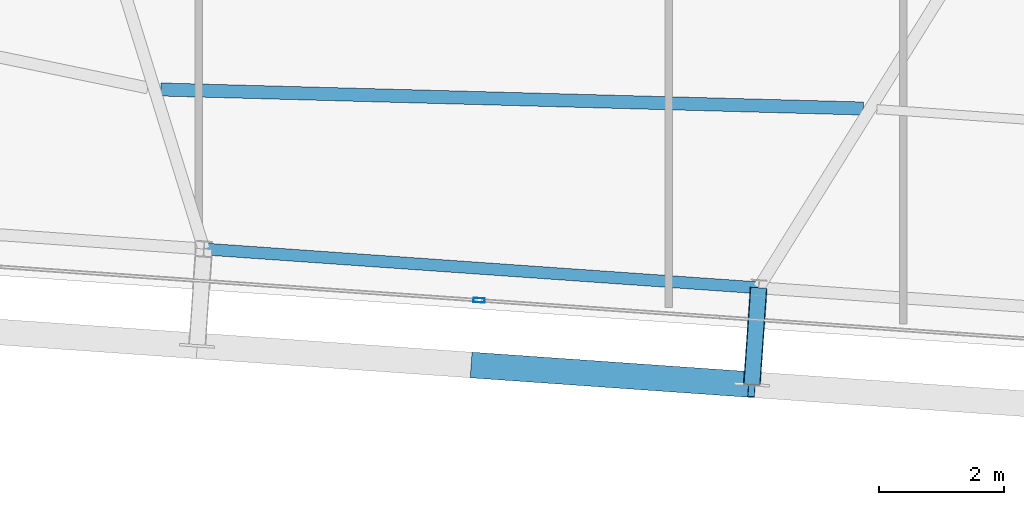
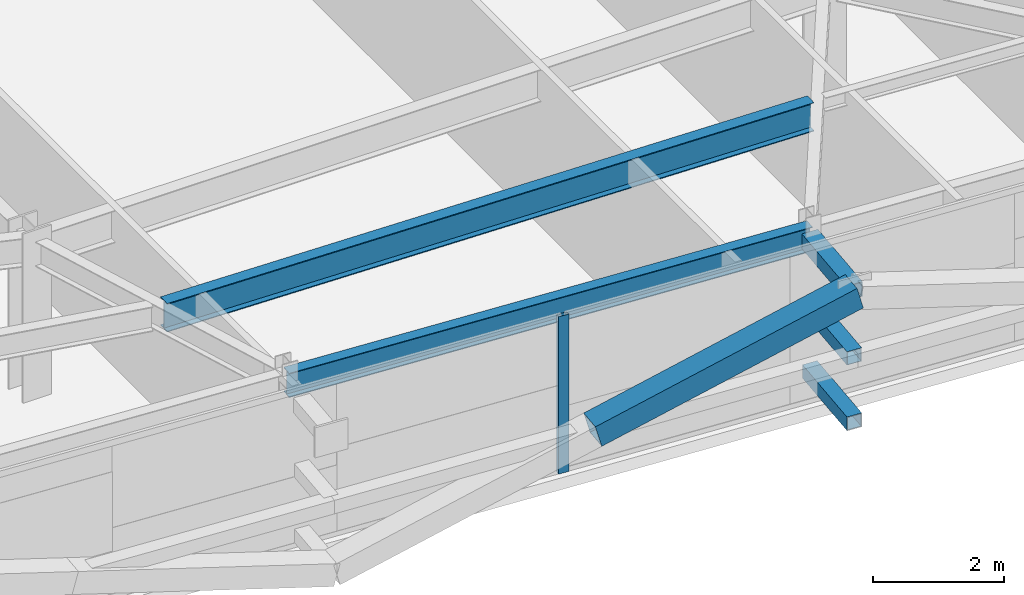
# One storey, part 9 of 39: 5 members, 2 beams, 1 element without a shape of its own.
"""IFC4 building model written with IfcOpenShell, lengths in metres."""

from ifc_helpers import new_model, si_unit, direction, frame, origin, origin_2d, place, context, subcontext, project, spatial, hollow_rectangle, i_section, extrude, source, transform, mapped, material, layer, layer_set, material_profile, profile_set, type_object, element, aggregate, save


model = new_model("IFC4")

# Units and contexts
model_context = context("Model", 3, precision=1e-05, world=origin(), true_north=direction((0.0, 1.0)))
body_context = subcontext(model_context, "Body", "Model", "MODEL_VIEW")
ifc_project = project(units=[si_unit("LENGTHUNIT", "METRE"), si_unit("AREAUNIT", "SQUARE_METRE"), si_unit("VOLUMEUNIT", "CUBIC_METRE"), si_unit("PLANEANGLEUNIT", "RADIAN"), si_unit("MASSUNIT", "GRAM", prefix="KILO")], contexts=[model_context])

# Site, building, storey
site_placement = place(None, origin())
site = spatial("IfcSite", under=ifc_project, at=site_placement, CompositionType="ELEMENT")
building_placement = place(site_placement, origin())
building = spatial("IfcBuilding", under=site, at=building_placement, Name="Taldren Reach Tower", CompositionType="ELEMENT")
storey_placement = place(building_placement, frame((0.0, 0.0, 133.0)))
storey = spatial("IfcBuildingStorey", under=building, at=storey_placement, Name="L40", CompositionType="ELEMENT", Elevation=133.0)

# Members
ifc_material_1 = material(Name="Steel Gr 450 (C450L0)", Category="steel")
ifc_material_profile_1 = material_profile(ifc_material_1, hollow_rectangle(XDim=0.27490234375, YDim=0.27490234375, WallThickness=0.00927734375, at=origin_2d()), Name="275x275x9.3SHS")
ifc_profile_set_1 = profile_set([ifc_material_profile_1], Name="Steel Gr 450 (C450L0)")
member_type_1 = type_object("IfcMemberType", Name="MB-TIE273", PredefinedType="STRUT", material=ifc_profile_set_1)
shared_shape_1 = source(origin(), body_context, "Body", "SweptSolid", [
    extrude(hollow_rectangle(XDim=0.27490234375, YDim=0.27490234375, WallThickness=0.00927734375, at=origin_2d()), origin(), (0.0, 0.0, 1.0), 1.550048828125),
])
member_1_placement = place(storey_placement, frame((38.438720703125, 3.480224609375, 2.64990234375), z_axis=(-0.06976957191, -0.99756313426, 0.0), x_axis=(0.99756313426, -0.06976957191, 0.0)))
element("IfcMember", 1, at=member_1_placement, inside=storey, type_object=member_type_1, Name="Exoskeleton diaphragm tie strut B3-S4 L40", PredefinedType="STRUT", context=body_context, shape_type="MappedRepresentation", body=[
    mapped(shared_shape_1, transform((0.0, 0.0, 0.0), scale=1.0)),
])
ifc_material_2 = material(Name="Steel Gr 350 (C350L0)", Category="steel")
ifc_material_profile_2 = material_profile(ifc_material_2, hollow_rectangle(XDim=0.25, YDim=0.25, WallThickness=0.010009765625, at=origin_2d()), Name="250x250x10.0SHS")
ifc_profile_set_2 = profile_set([ifc_material_profile_2], Name="Steel Gr 350 (C350L0)")
member_type_2 = type_object("IfcMemberType", Name="MB-POST250", PredefinedType="POST", material=ifc_profile_set_2)
shared_shape_2 = source(origin(), body_context, "Body", "SweptSolid", [
    extrude(hollow_rectangle(XDim=0.25, YDim=0.25, WallThickness=0.010009765625, at=origin_2d()), origin(), (0.0, 0.0, 1.0), 1.550048828125),
])
for number, where, z_axis, x_axis, name in (
    (2, (38.438720703125, 3.480224609375, 0.219970703125), (-0.06976957191, -0.99756313426, 0.0), (0.99756313426, -0.06976957191, 0.0), "Exoskeleton base diaphragm tie strut B3-S4 L40"),
    (3, (38.438720703125, 3.480224609375, 1.43505859375), (-0.06976957191, -0.99756313426, 0.0), (0.99756313426, -0.06976957191, 0.0), "Exoskeleton mid-tier diaphragm tie B3-S4 L40"),
):
    element("IfcMember", number, at=place(storey_placement, frame(where, z_axis=z_axis, x_axis=x_axis)), inside=storey, type_object=member_type_2, Name=name, PredefinedType="POST", context=body_context, shape_type="MappedRepresentation", body=[
        mapped(shared_shape_2, transform((0.0, 0.0, 0.0), scale=1.0)),
    ])

# Beams
ifc_material_3 = material(Name="Steel Gr 350 (350PLUS)", Category="steel")
ifc_material_profile_3 = material_profile(ifc_material_3, i_section(OverallWidth=0.18994140625, OverallDepth=0.4541015625, WebThickness=0.008544921875, FlangeThickness=0.0126953125, at=origin_2d()), Name="460UB67.1")
ifc_profile_set_3 = profile_set([ifc_material_profile_3], Name="Steel Gr 350 (350PLUS)")
beam_type_1 = type_object("IfcBeamType", Name="SP-UB460B", PredefinedType="SPANDREL", material=ifc_profile_set_3)
shared_shape_3 = source(origin(), body_context, "Body", "SweptSolid", [
    extrude(i_section(OverallWidth=0.18994140625, OverallDepth=0.4541015625, WebThickness=0.008544921875, FlangeThickness=0.0126953125, at=origin_2d()), origin(), (0.0, 0.0, 1.0), 8.880126953125),
])
beam_1_placement = place(storey_placement, frame((29.580322265625, 4.099609375, 2.702880859375), z_axis=(0.997564479639, -0.069750333063, 0.0), x_axis=(0.069750333063, 0.997564479639, 0.0)))
element("IfcBeam", 4, at=beam_1_placement, inside=storey, type_object=beam_type_1, Name="Perimeter spandrel B3 S3-S4 L40", PredefinedType="SPANDREL", context=body_context, shape_type="MappedRepresentation", body=[
    mapped(shared_shape_3, transform((0.0, 0.0, 0.0), scale=1.0)),
])
ifc_material_profile_4 = material_profile(ifc_material_3, i_section(OverallWidth=0.208984375, OverallDepth=0.532958984375, WebThickness=0.01025390625, FlangeThickness=0.015625, at=origin_2d()), Name="530UB92.4")
ifc_profile_set_4 = profile_set([ifc_material_profile_4], Name="Steel Gr 350 (350PLUS)")
beam_type_2 = type_object("IfcBeamType", Name="BM-UB530A", PredefinedType="BEAM", material=ifc_profile_set_4)
shared_shape_4 = source(origin(), body_context, "Body", "SweptSolid", [
    extrude(i_section(OverallWidth=0.208984375, OverallDepth=0.532958984375, WebThickness=0.01025390625, FlangeThickness=0.015625, at=origin_2d()), origin(), (0.0, 0.0, 1.0), 11.221923828125),
])
beam_2_placement = place(storey_placement, frame((28.890869140625, 6.64697265625, 2.66357421875), z_axis=(0.999633109536, -0.027085906272, 0.0), x_axis=(0.027085906272, 0.999633109536, 0.0)))
element("IfcBeam", 5, at=beam_2_placement, inside=storey, type_object=beam_type_2, Name="Secondary floor beam B3 J3 L40", PredefinedType="BEAM", context=body_context, shape_type="MappedRepresentation", body=[
    mapped(shared_shape_4, transform((0.0, 0.0, 0.0), scale=1.0)),
])

# Member
ifc_material_profile_5 = material_profile(ifc_material_1, hollow_rectangle(XDim=0.409912109375, YDim=0.409912109375, WallThickness=0.01611328125, at=origin_2d()), Name="410x410x16.0SHS")
ifc_profile_set_5 = profile_set([ifc_material_profile_5], Name="Steel Gr 450 (C450L0)")
member_type_3 = type_object("IfcMemberType", Name="MB-EXO406", PredefinedType="BRACE", material=ifc_profile_set_5)
shared_shape_5 = source(origin(), body_context, "Body", "SweptSolid", [
    extrude(hollow_rectangle(XDim=0.409912109375, YDim=0.409912109375, WallThickness=0.01611328125, at=origin_2d()), origin(), (0.0, 0.0, 1.0), 4.603271484375),
])
member_2_placement = place(storey_placement, frame((33.9013671875, 2.24365234375, 1.43505859375), z_axis=(0.962195820062, -0.067303852699, 0.263911718699), x_axis=(0.06977769246, 0.997562566276, 0.0)))
element("IfcMember", 6, at=member_2_placement, inside=storey, type_object=member_type_3, Name="Exoskeleton Diagrid Brace B3-S3 L40", PredefinedType="BRACE", context=body_context, shape_type="MappedRepresentation", body=[
    mapped(shared_shape_5, transform((0.0, 0.0, 0.0), scale=1.0)),
])

# Curtain wall, member
ifc_material_4 = material(Name="Aluminium and Low-E Glass Unitised System", Category="aluminium")
ifc_layer = layer(ifc_material_4, 0.159912109375)
ifc_layer_set = layer_set([ifc_layer], Name="Aluminium and Low-E Glass Unitised System")
curtain_wall_type = type_object("IfcCurtainWallType", Name="CW-SYS-4", PredefinedType="NOTDEFINED", material=ifc_layer_set)
curtain_wall_placement = place(storey_placement, origin())
curtain_wall = element("IfcCurtainWall", 7, at=curtain_wall_placement, inside=storey, type_object=curtain_wall_type, Name="Unitised curtain wall CW-L40-S", PredefinedType="NOTDEFINED")
ifc_material_5 = material(Name="Anodised Aluminium 6063-T6", Category="aluminium")
ifc_material_profile_6 = material_profile(ifc_material_5, hollow_rectangle(XDim=0.070068359375, YDim=0.179931640625, WallThickness=0.00390625, at=origin_2d()), Name="ALU-180x70x4RHS")
ifc_profile_set_6 = profile_set([ifc_material_profile_6], Name="Anodised Aluminium 6063-T6")
member_type_4 = type_object("IfcMemberType", Name="CW-MUL-180", PredefinedType="MULLION", material=ifc_profile_set_6)
shared_shape_6 = source(origin(), body_context, "Body", "SweptSolid", [
    extrude(hollow_rectangle(XDim=0.070068359375, YDim=0.179931640625, WallThickness=0.00390625, at=origin_2d()), origin(), (0.0, 0.0, 1.0), 2.929931640625),
])
member_3_placement = place(storey_placement, frame((33.973876953125, 3.281005859375, 0.0), z_axis=(0.0, 0.0, 1.0), x_axis=(0.06975651593, 0.99756404731, 0.0)))
member_3 = element("IfcMember", 8, at=member_3_placement, type_object=member_type_4, Name="CW-4 mullion 3", PredefinedType="MULLION", context=body_context, shape_type="MappedRepresentation", body=[
    mapped(shared_shape_6, transform((0.0, 0.0, 0.0), scale=1.0)),
])
aggregate(curtain_wall, [member_3])

save(model, "model.ifc")
